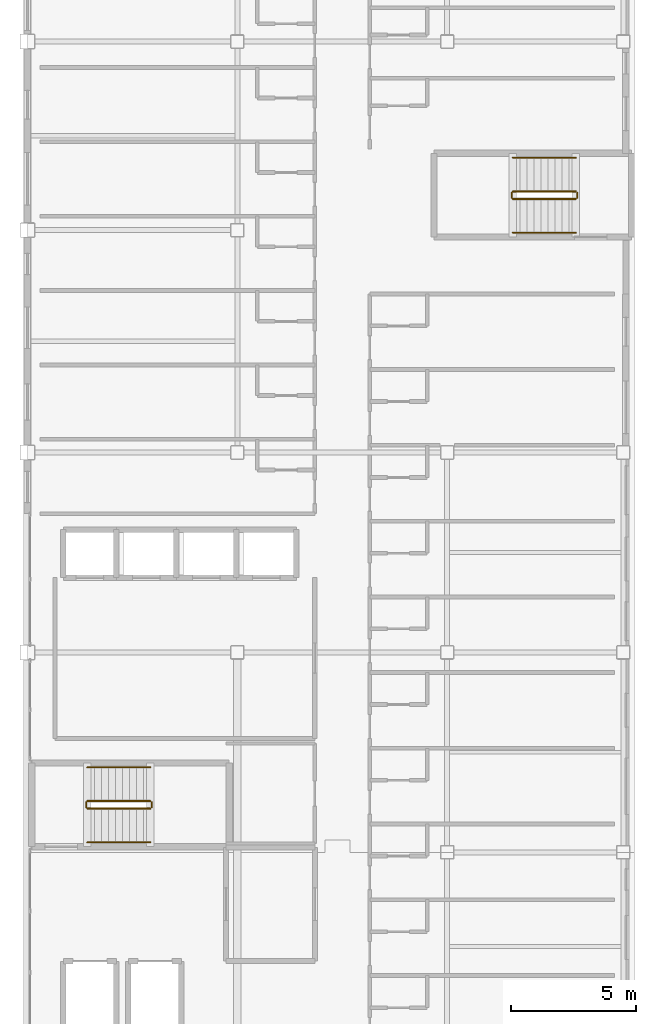
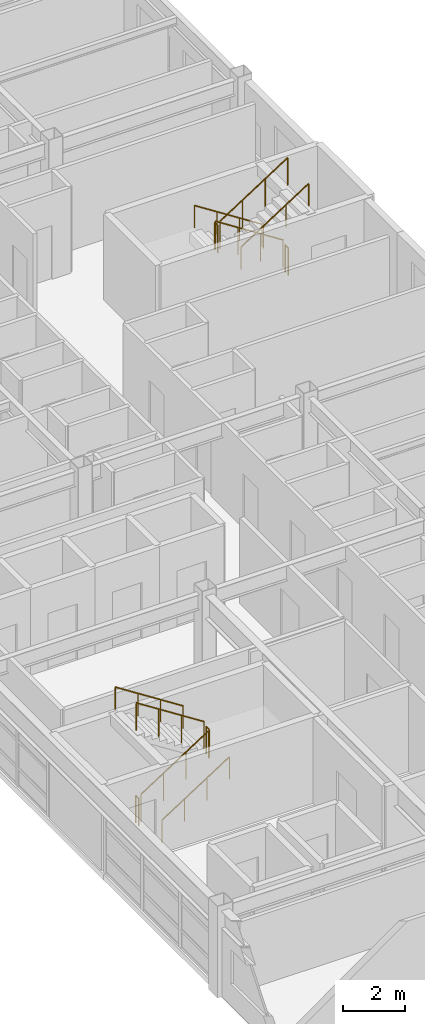
# One storey, part 35 of 36: 12 railings.
"""IFC4 building model written with IfcOpenShell, lengths in metres."""

import ifcopenshell
import ifcopenshell.guid

model = None  # the IFC model being written
_history = None  # IfcOwnerHistory: only IFC2X3 demands one
_inside = {}  # id of a spatial element -> (the spatial element, [elements in it])
_under = {}  # id of a project, library or spatial element -> (it, [spatial elements below it])
_declared = {}  # id of a project -> (the project, [libraries it declares])
_typed = {}  # id of a type object -> (the type object, [elements of that type])
_made_of = {}  # id of a material, layer set ... -> (it, [elements and type objects made of it])


def new_model(schema):
    """Start an empty IFC model of exactly this schema.

    Asked for "IFC4X3", IfcOpenShell would pick the latest addendum, in which some entities
    have other attributes; the version numbers below select the first issue.
    IFC2X3 requires an IfcOwnerHistory on every rooted entity: one is made here for all.
    """
    global model, _history
    if schema == "IFC4X3":
        model = ifcopenshell.file(schema_version=(4, 3, 0, 0))
    else:
        model = ifcopenshell.file(schema=schema)
    _inside.clear()
    _under.clear()
    _declared.clear()
    _typed.clear()
    _made_of.clear()
    _history = None
    if model.schema == "IFC2X3":
        org = make("IfcOrganization", Name="unknown")
        user = make(
            "IfcPersonAndOrganization",
            ThePerson=make("IfcPerson", FamilyName="unknown"),
            TheOrganization=org,
        )
        app = make(
            "IfcApplication",
            ApplicationDeveloper=org,
            Version="unknown",
            ApplicationFullName="unknown",
            ApplicationIdentifier="unknown",
        )
        _history = make(
            "IfcOwnerHistory",
            OwningUser=user,
            OwningApplication=app,
            ChangeAction="ADDED",
            CreationDate=0,
        )
    return model


def make(cls, **values):
    """One entity of the class cls with the attributes given. An attribute that is None is left unset."""
    return model.create_entity(
        cls, **{name: value for name, value in values.items() if value is not None}
    )


def rooted(cls, **values):
    """An entity with a GlobalId (a new one), such as an element, a storey or a relation."""
    return make(cls, GlobalId=ifcopenshell.guid.new(), OwnerHistory=_history, **values)


def si_unit(unit_type, name, prefix=None):
    """IfcSIUnit, for example si_unit("LENGTHUNIT", "METRE", prefix="MILLI")."""
    return make("IfcSIUnit", UnitType=unit_type, Prefix=prefix, Name=name)


def assignment(units):
    """IfcUnitAssignment: the units of a project."""
    return None if units is None else make("IfcUnitAssignment", Units=units)


def point(xyz):
    """IfcCartesianPoint."""
    return None if xyz is None else make("IfcCartesianPoint", Coordinates=xyz)


def direction(xyz):
    """IfcDirection."""
    return None if xyz is None else make("IfcDirection", DirectionRatios=xyz)


def frame(location, z_axis=None, x_axis=None):
    """IfcAxis2Placement3D, a coordinate frame: its origin and axes. An axis left out is left unset."""
    return make(
        "IfcAxis2Placement3D",
        Location=point(location),
        Axis=direction(z_axis),
        RefDirection=direction(x_axis),
    )


def frame_2d(location, x_axis=None):
    """IfcAxis2Placement2D, a coordinate frame in the plane: its origin and x axis."""
    return make(
        "IfcAxis2Placement2D", Location=point(location), RefDirection=direction(x_axis)
    )


def origin():
    """The frame at (0, 0, 0) with its axes left unset."""
    return frame((0.0, 0.0, 0.0))


def origin_2d():
    """The frame at (0, 0) in the plane with its x axis left unset."""
    return frame_2d((0.0, 0.0))


def place(relative_to, where):
    """IfcLocalPlacement: puts the frame where relative to a parent placement (None: the world)."""
    return make(
        "IfcLocalPlacement", PlacementRelTo=relative_to, RelativePlacement=where
    )


def context(
    kind, dimensions, precision=None, world=None, true_north=None, identifier=None
):
    """IfcGeometricRepresentationContext, for example the 3D "Model" context."""
    return make(
        "IfcGeometricRepresentationContext",
        ContextIdentifier=identifier,
        ContextType=kind,
        CoordinateSpaceDimension=dimensions,
        Precision=precision,
        WorldCoordinateSystem=world,
        TrueNorth=true_north,
    )


def subcontext(parent, identifier, kind, view, scale=None):
    """IfcGeometricRepresentationSubContext, for example "Body" below "Model"."""
    return make(
        "IfcGeometricRepresentationSubContext",
        ContextIdentifier=identifier,
        ContextType=kind,
        ParentContext=parent,
        TargetScale=scale,
        TargetView=view,
    )


def project(units=None, contexts=None):
    """IfcProject with its units and contexts."""
    return rooted(
        "IfcProject",
        Name="project",
        RepresentationContexts=contexts,
        UnitsInContext=assignment(units),
    )


def spatial(cls, under=None, at=None, **own):
    """A site, building, storey or space (cls), placed at a placement, below another one or the project."""
    s = rooted(cls, ObjectPlacement=at, **own)
    if under is not None:
        _under.setdefault(under.id(), (under, []))[1].append(s)
    return s


def profile(cls, at=None, kind="AREA", **sizes):
    """A parametric profile (cls). Its sizes go by their IFC names, for example OverallWidth=200.0."""
    return make(cls, ProfileType=kind, Position=at, **sizes)


def circle(**sizes):
    """IfcCircleProfileDef."""
    return profile("IfcCircleProfileDef", **sizes)


def extrude(swept, where, along, depth):
    """IfcExtrudedAreaSolid: the profile swept, set in the frame where, extruded along a direction by depth."""
    return make(
        "IfcExtrudedAreaSolid",
        SweptArea=swept,
        Position=where,
        ExtrudedDirection=direction(along),
        Depth=depth,
    )


def shape(context_of_items, identifier, shape_type, items):
    """IfcShapeRepresentation: the items that make up one representation, for example the "Body"."""
    return make(
        "IfcShapeRepresentation",
        ContextOfItems=context_of_items,
        RepresentationIdentifier=identifier,
        RepresentationType=shape_type,
        Items=items,
    )


def material(Name=None, Category=None):
    """IfcMaterial."""
    return make("IfcMaterial", Name=Name, Category=Category)


def made_of(thing, what):
    """Note that an element or type object is made of a material, layer set ...; save() writes the relation."""
    if what is not None:
        _made_of.setdefault(what.id(), (what, []))[1].append(thing)
    return thing


def type_object(cls, material=None, **own):
    """A type object (cls), such as IfcWallType, which elements share."""
    return made_of(rooted(cls, **own), material)


def element(
    cls,
    number,
    at=None,
    inside=None,
    cuts=None,
    type_object=None,
    material=None,
    context=None,
    identifier="Body",
    shape_type=None,
    held_by="IfcProductDefinitionShape",
    body=None,
    shapes=None,
    **own,
):
    """One element of the class cls, such as IfcWall. Its Tag is "e" and its number.

    at: its placement. inside: the storey or other place that contains it. cuts: it is an
    opening in that element (IfcRelVoidsElement). A single representation is given by context,
    identifier, shape_type and body (its items); several are given by shapes. held_by: the class
    of the entity that holds the representations. save() writes the other relations.
    """
    e = rooted(cls, Tag="e%d" % number, ObjectPlacement=at, **own)
    if body is not None:
        shapes = [shape(context, identifier, shape_type, body)]
    if shapes is not None:
        e.Representation = make(held_by, Representations=shapes)
    if inside is not None:
        _inside.setdefault(inside.id(), (inside, []))[1].append(e)
    if cuts is not None:
        rooted(
            "IfcRelVoidsElement", RelatingBuildingElement=cuts, RelatedOpeningElement=e
        )
    if type_object is not None:
        _typed.setdefault(type_object.id(), (type_object, []))[1].append(e)
    return made_of(e, material)


def aggregate(whole, parts):
    """IfcRelAggregates: a whole, such as a stair, and the parts it consists of."""
    return rooted("IfcRelAggregates", RelatingObject=whole, RelatedObjects=parts)


def save(model, path):
    """Write the relations noted so far, then the file.

    IfcRelAggregates (storeys below a building ...), IfcRelContainedInSpatialStructure (elements
    in a storey), IfcRelDefinesByType, IfcRelAssociatesMaterial and IfcRelDeclares: one each for
    every whole, place, type object, material and project.
    """
    for whole, parts in _under.values():
        aggregate(whole, parts)
    for where, things in _inside.values():
        rooted(
            "IfcRelContainedInSpatialStructure",
            RelatedElements=things,
            RelatingStructure=where,
        )
    for kind, things in _typed.values():
        rooted("IfcRelDefinesByType", RelatedObjects=things, RelatingType=kind)
    for what, things in _made_of.values():
        rooted("IfcRelAssociatesMaterial", RelatedObjects=things, RelatingMaterial=what)
    for by, libraries in _declared.values():
        rooted("IfcRelDeclares", RelatingContext=by, RelatedDefinitions=libraries)
    model.write(path)


model = new_model("IFC4")

# Units and contexts
model_context = context("Model", 3, precision=1e-05, world=origin(), true_north=direction((0.0, 1.0)))
body_context = subcontext(model_context, "Body", "Model", "MODEL_VIEW")
ifc_project = project(units=[si_unit("LENGTHUNIT", "METRE"), si_unit("AREAUNIT", "SQUARE_METRE"), si_unit("VOLUMEUNIT", "CUBIC_METRE"), si_unit("PLANEANGLEUNIT", "RADIAN"), si_unit("MASSUNIT", "GRAM", prefix="KILO")], contexts=[model_context])

# Site, building, storey
site_placement = place(None, origin())
site = spatial("IfcSite", under=ifc_project, at=site_placement, CompositionType="ELEMENT")
building_placement = place(site_placement, origin())
building = spatial("IfcBuilding", under=site, at=building_placement, Name="Kazehara Bluff Congress Hotel", CompositionType="ELEMENT")
storey_placement = place(building_placement, frame((0.0, 0.0, 31.800048828125)))
storey = spatial("IfcBuildingStorey", under=building, at=storey_placement, Name="L07", CompositionType="ELEMENT", Elevation=31.800048828125)

# Railings
ifc_material_1 = material(Name="Brushed stainless steel", Category="steel")
railing_type_1 = type_object("IfcRailingType", Name="TP-GRD-INT", PredefinedType="GUARDRAIL", material=ifc_material_1)
railing_1_placement = place(storey_placement, frame((146.10009765625, 50.199951171875, 0.179931640625)))
element("IfcRailing", 1, at=railing_1_placement, inside=storey, type_object=railing_type_1, Name="L07 ST-11 stair guard 1", PredefinedType="GUARDRAIL", context=body_context, shape_type="SweptSolid", body=[
    extrude(circle(Radius=0.02392578125, at=origin_2d()), frame((0.0, 0.0, 1.076171875), z_axis=(0.841162588446, 0.0, 0.540782303519), x_axis=(0.0, 1.0, 0.0)), (0.0, 0.0, 1.0), 2.995849609375),
    extrude(circle(Radius=0.02099609375, at=origin_2d()), origin(), (0.0, 0.0, 1.0), 1.052001953125),
    extrude(circle(Radius=0.02099609375, at=origin_2d()), frame((0.840087890625, 0.0, 0.5400390625)), (0.0, 0.0, 1.0), 1.052001953125),
    extrude(circle(Radius=0.02099609375, at=origin_2d()), frame((1.679931640625, 0.0, 1.080078125)), (0.0, 0.0, 1.0), 1.052001953125),
    extrude(circle(Radius=0.02099609375, at=origin_2d()), frame((2.52001953125, 0.0, 1.6201171875)), (0.0, 0.0, 1.0), 1.052001953125),
])
railing_2_placement = place(storey_placement, frame((148.669921875, 50.25, 1.800048828125)))
element("IfcRailing", 2, at=railing_2_placement, inside=storey, type_object=railing_type_1, Name="L07 ST-11 stair guard 2", PredefinedType="GUARDRAIL", context=body_context, shape_type="SweptSolid", body=[
    extrude(circle(Radius=0.02392578125, at=origin_2d()), frame((0.0, 0.0, 1.076171875), z_axis=(0.0, 1.0, 0.0), x_axis=(-1.0, 0.0, 0.0)), (0.0, 0.0, 1.0), 0.199951171875),
    extrude(circle(Radius=0.02099609375, at=origin_2d()), origin(), (0.0, 0.0, 1.0), 1.052001953125),
    extrude(circle(Radius=0.02099609375, at=origin_2d()), frame((0.0, 0.199951171875, 0.0)), (0.0, 0.0, 1.0), 1.052001953125),
])
railing_3_placement = place(storey_placement, frame((148.6201171875, 50.5, 1.97998046875)))
element("IfcRailing", 3, at=railing_3_placement, inside=storey, type_object=railing_type_1, Name="L07 ST-11 stair guard 3", PredefinedType="GUARDRAIL", context=body_context, shape_type="SweptSolid", body=[
    extrude(circle(Radius=0.02392578125, at=origin_2d()), frame((0.0, 0.0, 1.076171875), z_axis=(-0.841199657755, 0.0, 0.540724639528), x_axis=(0.0, -1.0, 0.0)), (0.0, 0.0, 1.0), 2.995849609375),
    extrude(circle(Radius=0.02099609375, at=origin_2d()), origin(), (0.0, 0.0, 1.0), 1.052001953125),
    extrude(circle(Radius=0.02099609375, at=origin_2d()), frame((-0.840087890625, 0.0, 0.5400390625)), (0.0, 0.0, 1.0), 1.052001953125),
    extrude(circle(Radius=0.02099609375, at=origin_2d()), frame((-1.679931640625, 0.0, 1.079833984375)), (0.0, 0.0, 1.0), 1.052001953125),
    extrude(circle(Radius=0.02099609375, at=origin_2d()), frame((-2.52001953125, 0.0, 1.619873046875)), (0.0, 0.0, 1.0), 1.052001953125),
])
railing_4_placement = place(storey_placement, frame((146.050048828125, 50.25, 0.0)))
element("IfcRailing", 4, at=railing_4_placement, inside=storey, type_object=railing_type_1, Name="L07 ST-11 stair guard 4", PredefinedType="GUARDRAIL", context=body_context, shape_type="SweptSolid", body=[
    extrude(circle(Radius=0.02392578125, at=origin_2d()), frame((0.0, 0.0, 1.076171875), z_axis=(0.0, 1.0, 0.0), x_axis=(-1.0, 0.0, 0.0)), (0.0, 0.0, 1.0), 0.199951171875),
    extrude(circle(Radius=0.02099609375, at=origin_2d()), origin(), (0.0, 0.0, 1.0), 1.052001953125),
    extrude(circle(Radius=0.02099609375, at=origin_2d()), frame((0.0, 0.199951171875, 0.0)), (0.0, 0.0, 1.0), 1.052001953125),
])
railing_5_placement = place(storey_placement, frame((165.64990234375, 74.89990234375, 0.179931640625)))
element("IfcRailing", 5, at=railing_5_placement, inside=storey, type_object=railing_type_1, Name="L07 ST-12 stair guard 1", PredefinedType="GUARDRAIL", context=body_context, shape_type="SweptSolid", body=[
    extrude(circle(Radius=0.02392578125, at=origin_2d()), frame((0.0, 0.0, 1.076171875), z_axis=(-0.841162588446, 0.0, 0.540782303519), x_axis=(0.0, -1.0, 0.0)), (0.0, 0.0, 1.0), 2.995849609375),
    extrude(circle(Radius=0.02099609375, at=origin_2d()), origin(), (0.0, 0.0, 1.0), 1.052001953125),
    extrude(circle(Radius=0.02099609375, at=origin_2d()), frame((-0.840087890625, 0.0, 0.5400390625)), (0.0, 0.0, 1.0), 1.052001953125),
    extrude(circle(Radius=0.02099609375, at=origin_2d()), frame((-1.679931640625, 0.0, 1.080078125)), (0.0, 0.0, 1.0), 1.052001953125),
    extrude(circle(Radius=0.02099609375, at=origin_2d()), frame((-2.52001953125, 0.0, 1.6201171875)), (0.0, 0.0, 1.0), 1.052001953125),
])
railing_6_placement = place(storey_placement, frame((163.080078125, 74.85009765625, 1.800048828125)))
element("IfcRailing", 6, at=railing_6_placement, inside=storey, type_object=railing_type_1, Name="L07 ST-12 stair guard 2", PredefinedType="GUARDRAIL", context=body_context, shape_type="SweptSolid", body=[
    extrude(circle(Radius=0.02392578125, at=origin_2d()), frame((0.0, 0.0, 1.076171875), z_axis=(0.0, -1.0, 0.0), x_axis=(1.0, 0.0, 0.0)), (0.0, 0.0, 1.0), 0.2001953125),
    extrude(circle(Radius=0.02099609375, at=origin_2d()), origin(), (0.0, 0.0, 1.0), 1.052001953125),
    extrude(circle(Radius=0.02099609375, at=origin_2d()), frame((0.0, -0.2001953125, 0.0)), (0.0, 0.0, 1.0), 1.052001953125),
])
railing_7_placement = place(storey_placement, frame((163.1298828125, 74.60009765625, 1.97998046875)))
element("IfcRailing", 7, at=railing_7_placement, inside=storey, type_object=railing_type_1, Name="L07 ST-12 stair guard 3", PredefinedType="GUARDRAIL", context=body_context, shape_type="SweptSolid", body=[
    extrude(circle(Radius=0.02392578125, at=origin_2d()), frame((0.0, 0.0, 1.076171875), z_axis=(0.841199657755, 0.0, 0.540724639528), x_axis=(0.0, 1.0, 0.0)), (0.0, 0.0, 1.0), 2.995849609375),
    extrude(circle(Radius=0.02099609375, at=origin_2d()), origin(), (0.0, 0.0, 1.0), 1.052001953125),
    extrude(circle(Radius=0.02099609375, at=origin_2d()), frame((0.840087890625, 0.0, 0.5400390625)), (0.0, 0.0, 1.0), 1.052001953125),
    extrude(circle(Radius=0.02099609375, at=origin_2d()), frame((1.679931640625, 0.0, 1.079833984375)), (0.0, 0.0, 1.0), 1.052001953125),
    extrude(circle(Radius=0.02099609375, at=origin_2d()), frame((2.52001953125, 0.0, 1.619873046875)), (0.0, 0.0, 1.0), 1.052001953125),
])
railing_8_placement = place(storey_placement, frame((165.699951171875, 74.85009765625, 0.0)))
element("IfcRailing", 8, at=railing_8_placement, inside=storey, type_object=railing_type_1, Name="L07 ST-12 stair guard 4", PredefinedType="GUARDRAIL", context=body_context, shape_type="SweptSolid", body=[
    extrude(circle(Radius=0.02392578125, at=origin_2d()), frame((0.0, 0.0, 1.076171875), z_axis=(0.0, -1.0, 0.0), x_axis=(1.0, 0.0, 0.0)), (0.0, 0.0, 1.0), 0.2001953125),
    extrude(circle(Radius=0.02099609375, at=origin_2d()), origin(), (0.0, 0.0, 1.0), 1.052001953125),
    extrude(circle(Radius=0.02099609375, at=origin_2d()), frame((0.0, -0.2001953125, 0.0)), (0.0, 0.0, 1.0), 1.052001953125),
])
ifc_material_2 = material(Name="Brushed stainless steel", Category="steel")
railing_type_2 = type_object("IfcRailingType", Name="TP-HR-INT", PredefinedType="HANDRAIL", material=ifc_material_2)
railing_9_placement = place(storey_placement, frame((146.10009765625, 48.85009765625, 0.179931640625)))
element("IfcRailing", 9, at=railing_9_placement, inside=storey, type_object=railing_type_2, Name="L07 ST-11 stair handrail 1", PredefinedType="HANDRAIL", context=body_context, shape_type="SweptSolid", body=[
    extrude(circle(Radius=0.02392578125, at=origin_2d()), frame((0.0, 0.0, 0.8759765625), z_axis=(0.841162588446, 0.0, 0.540782303519), x_axis=(0.0, 1.0, 0.0)), (0.0, 0.0, 1.0), 2.995849609375),
    extrude(circle(Radius=0.02099609375, at=origin_2d()), origin(), (0.0, 0.0, 1.0), 0.851806640625),
    extrude(circle(Radius=0.02099609375, at=origin_2d()), frame((0.840087890625, 0.0, 0.5400390625)), (0.0, 0.0, 1.0), 0.851806640625),
    extrude(circle(Radius=0.02099609375, at=origin_2d()), frame((1.679931640625, 0.0, 1.080078125)), (0.0, 0.0, 1.0), 0.851806640625),
    extrude(circle(Radius=0.02099609375, at=origin_2d()), frame((2.52001953125, 0.0, 1.6201171875)), (0.0, 0.0, 1.0), 0.851806640625),
])
railing_10_placement = place(storey_placement, frame((148.6201171875, 51.85009765625, 1.97998046875)))
element("IfcRailing", 10, at=railing_10_placement, inside=storey, type_object=railing_type_2, Name="L07 ST-11 stair handrail 2", PredefinedType="HANDRAIL", context=body_context, shape_type="SweptSolid", body=[
    extrude(circle(Radius=0.02392578125, at=origin_2d()), frame((0.0, 0.0, 0.8759765625), z_axis=(-0.841199657755, 0.0, 0.540724639528), x_axis=(0.0, -1.0, 0.0)), (0.0, 0.0, 1.0), 2.995849609375),
    extrude(circle(Radius=0.02099609375, at=origin_2d()), origin(), (0.0, 0.0, 1.0), 0.851806640625),
    extrude(circle(Radius=0.02099609375, at=origin_2d()), frame((-0.840087890625, 0.0, 0.5400390625)), (0.0, 0.0, 1.0), 0.851806640625),
    extrude(circle(Radius=0.02099609375, at=origin_2d()), frame((-1.679931640625, 0.0, 1.079833984375)), (0.0, 0.0, 1.0), 0.851806640625),
    extrude(circle(Radius=0.02099609375, at=origin_2d()), frame((-2.52001953125, 0.0, 1.619873046875)), (0.0, 0.0, 1.0), 0.851806640625),
])
railing_11_placement = place(storey_placement, frame((165.64990234375, 76.25, 0.179931640625)))
element("IfcRailing", 11, at=railing_11_placement, inside=storey, type_object=railing_type_2, Name="L07 ST-12 stair handrail 1", PredefinedType="HANDRAIL", context=body_context, shape_type="SweptSolid", body=[
    extrude(circle(Radius=0.02392578125, at=origin_2d()), frame((0.0, 0.0, 0.8759765625), z_axis=(-0.841162588446, 0.0, 0.540782303519), x_axis=(0.0, -1.0, 0.0)), (0.0, 0.0, 1.0), 2.995849609375),
    extrude(circle(Radius=0.02099609375, at=origin_2d()), origin(), (0.0, 0.0, 1.0), 0.851806640625),
    extrude(circle(Radius=0.02099609375, at=origin_2d()), frame((-0.840087890625, 0.0, 0.5400390625)), (0.0, 0.0, 1.0), 0.851806640625),
    extrude(circle(Radius=0.02099609375, at=origin_2d()), frame((-1.679931640625, 0.0, 1.080078125)), (0.0, 0.0, 1.0), 0.851806640625),
    extrude(circle(Radius=0.02099609375, at=origin_2d()), frame((-2.52001953125, 0.0, 1.6201171875)), (0.0, 0.0, 1.0), 0.851806640625),
])
railing_12_placement = place(storey_placement, frame((163.1298828125, 73.25, 1.97998046875)))
element("IfcRailing", 12, at=railing_12_placement, inside=storey, type_object=railing_type_2, Name="L07 ST-12 stair handrail 2", PredefinedType="HANDRAIL", context=body_context, shape_type="SweptSolid", body=[
    extrude(circle(Radius=0.02392578125, at=origin_2d()), frame((0.0, 0.0, 0.8759765625), z_axis=(0.841199657755, 0.0, 0.540724639528), x_axis=(0.0, 1.0, 0.0)), (0.0, 0.0, 1.0), 2.995849609375),
    extrude(circle(Radius=0.02099609375, at=origin_2d()), origin(), (0.0, 0.0, 1.0), 0.851806640625),
    extrude(circle(Radius=0.02099609375, at=origin_2d()), frame((0.840087890625, 0.0, 0.5400390625)), (0.0, 0.0, 1.0), 0.851806640625),
    extrude(circle(Radius=0.02099609375, at=origin_2d()), frame((1.679931640625, 0.0, 1.079833984375)), (0.0, 0.0, 1.0), 0.851806640625),
    extrude(circle(Radius=0.02099609375, at=origin_2d()), frame((2.52001953125, 0.0, 1.619873046875)), (0.0, 0.0, 1.0), 0.851806640625),
])

save(model, "model.ifc")
